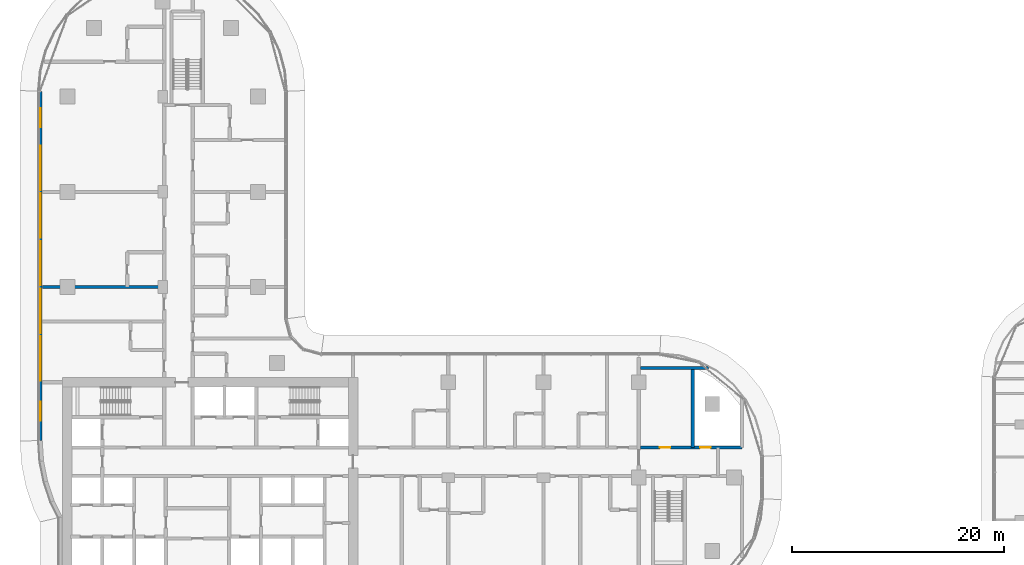
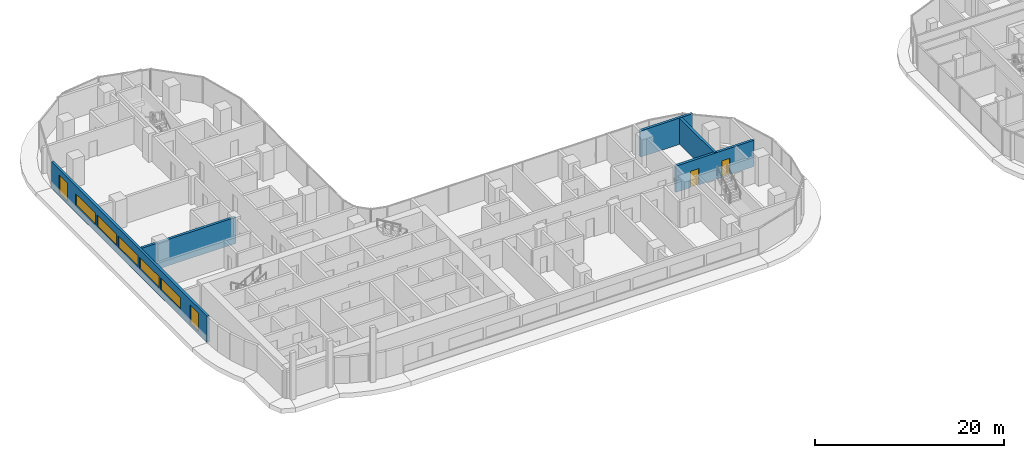
# One storey, part 20 of 36: 7 windows, 5 walls, 2 doors, 9 openings.
"""IFC4 building model written with IfcOpenShell, lengths in metres."""

from ifc_helpers import new_model, si_unit, direction, frame, frame_2d, origin, place, context, subcontext, project, spatial, rectangle, extrude, material, layer, layer_set, type_object, element, fill, save


model = new_model("IFC4")

# Units and contexts
model_context = context("Model", 3, precision=1e-05, world=origin(), true_north=direction((0.0, 1.0)))
body_context = subcontext(model_context, "Body", "Model", "MODEL_VIEW")
ifc_project = project(units=[si_unit("LENGTHUNIT", "METRE"), si_unit("AREAUNIT", "SQUARE_METRE"), si_unit("VOLUMEUNIT", "CUBIC_METRE"), si_unit("PLANEANGLEUNIT", "RADIAN"), si_unit("MASSUNIT", "GRAM", prefix="KILO")], contexts=[model_context])

# Site, building, storey
site_placement = place(None, origin())
site = spatial("IfcSite", under=ifc_project, at=site_placement, CompositionType="ELEMENT")
building_placement = place(site_placement, origin())
building = spatial("IfcBuilding", under=site, at=building_placement, Name="Ogive Portal Towers", CompositionType="ELEMENT")
storey_placement = place(building_placement, frame((0.0, 0.0, 63.10009765625)))
storey = spatial("IfcBuildingStorey", under=building, at=storey_placement, Name="L14", CompositionType="ELEMENT", Elevation=63.10009765625)

# Wall, openings, windows
ifc_material_1 = material(Name="Limestone cladding on lightweight block wall", Category="masonry")
ifc_layer_1 = layer(ifc_material_1, 0.300048828125)
ifc_layer_set_1 = layer_set([ifc_layer_1], Name="EXTERNAL WALL 300 STONE")
wall_type_1 = type_object("IfcWallType", Name="EXTERNAL WALL 300 STONE", PredefinedType="SOLIDWALL", material=ifc_layer_set_1)
wall_1_placement = place(storey_placement, frame((28.969970703125, 66.98583984375, 0.0), z_axis=(0.0, 0.0, 1.0), x_axis=(0.0, -1.0, 0.0)))
wall_1 = element("IfcWall", 1, at=wall_1_placement, inside=storey, type_object=wall_type_1, Name="A:L14:f27:r0:wall", PredefinedType="SOLIDWALL", context=body_context, shape_type="SweptSolid", body=[
    extrude(rectangle(XDim=32.97607421875, YDim=0.300048828125, at=frame_2d((16.488037109375, 0.0))), origin(), (0.0, 0.0, 1.0), 3.39990234375),
])
opening_1_placement = place(wall_1_placement, frame((1.593017578125, 0.0, 0.300048828125)))
opening_1 = element("IfcOpeningElement", 2, at=opening_1_placement, cuts=wall_1, Name="Opening WN10", PredefinedType="OPENING", context=body_context, shape_type="SweptSolid", body=[
    extrude(rectangle(XDim=1.800048828125, YDim=2.39990234375, at=frame_2d((0.89990234375, 1.199951171875))), frame((0.0, 0.16015625, 0.0), z_axis=(0.0, -1.0, 0.0), x_axis=(1.0, 0.0, 0.0)), (0.0, 0.0, 1.0), 0.320068359375),
])
opening_2_placement = place(wall_1_placement, frame((5.135986328125, 0.0, 0.89990234375)))
opening_2 = element("IfcOpeningElement", 3, at=opening_2_placement, cuts=wall_1, Name="Opening WN11", PredefinedType="OPENING", context=body_context, shape_type="SweptSolid", body=[
    extrude(rectangle(XDim=4.199951171875, YDim=1.5, at=frame_2d((2.10009765625, 0.75))), frame((0.0, 0.16015625, 0.0), z_axis=(0.0, -1.0, 0.0), x_axis=(1.0, 0.0, 0.0)), (0.0, 0.0, 1.0), 0.320068359375),
])
opening_3_placement = place(wall_1_placement, frame((9.635986328125, 0.0, 0.89990234375)))
opening_3 = element("IfcOpeningElement", 4, at=opening_3_placement, cuts=wall_1, Name="Opening WN11", PredefinedType="OPENING", context=body_context, shape_type="SweptSolid", body=[
    extrude(rectangle(XDim=4.199951171875, YDim=1.5, at=frame_2d((2.10009765625, 0.75))), frame((0.0, 0.16015625, 0.0), z_axis=(0.0, -1.0, 0.0), x_axis=(1.0, 0.0, 0.0)), (0.0, 0.0, 1.0), 0.320068359375),
])
opening_4_placement = place(wall_1_placement, frame((14.135986328125, 0.0, 0.89990234375)))
opening_4 = element("IfcOpeningElement", 5, at=opening_4_placement, cuts=wall_1, Name="Opening WN11", PredefinedType="OPENING", context=body_context, shape_type="SweptSolid", body=[
    extrude(rectangle(XDim=4.199951171875, YDim=1.5, at=frame_2d((2.10009765625, 0.75))), frame((0.0, 0.16015625, 0.0), z_axis=(0.0, -1.0, 0.0), x_axis=(1.0, 0.0, 0.0)), (0.0, 0.0, 1.0), 0.320068359375),
])
opening_5_placement = place(wall_1_placement, frame((18.635986328125, 0.0, 0.89990234375)))
opening_5 = element("IfcOpeningElement", 6, at=opening_5_placement, cuts=wall_1, Name="Opening WN11", PredefinedType="OPENING", context=body_context, shape_type="SweptSolid", body=[
    extrude(rectangle(XDim=4.199951171875, YDim=1.5, at=frame_2d((2.10009765625, 0.75))), frame((0.0, 0.16015625, 0.0), z_axis=(0.0, -1.0, 0.0), x_axis=(1.0, 0.0, 0.0)), (0.0, 0.0, 1.0), 0.320068359375),
])
opening_6_placement = place(wall_1_placement, frame((23.135986328125, 0.0, 0.89990234375)))
opening_6 = element("IfcOpeningElement", 7, at=opening_6_placement, cuts=wall_1, Name="Opening WN11", PredefinedType="OPENING", context=body_context, shape_type="SweptSolid", body=[
    extrude(rectangle(XDim=4.199951171875, YDim=1.5, at=frame_2d((2.10009765625, 0.75))), frame((0.0, 0.16015625, 0.0), z_axis=(0.0, -1.0, 0.0), x_axis=(1.0, 0.0, 0.0)), (0.0, 0.0, 1.0), 0.320068359375),
])
opening_7_placement = place(wall_1_placement, frame((29.3310546875, 0.0, 0.300048828125)))
opening_7 = element("IfcOpeningElement", 8, at=opening_7_placement, cuts=wall_1, Name="Opening WN10", PredefinedType="OPENING", context=body_context, shape_type="SweptSolid", body=[
    extrude(rectangle(XDim=1.800048828125, YDim=2.39990234375, at=frame_2d((0.89990234375, 1.199951171875))), frame((0.0, 0.16015625, 0.0), z_axis=(0.0, -1.0, 0.0), x_axis=(1.0, 0.0, 0.0)), (0.0, 0.0, 1.0), 0.320068359375),
])
ifc_material_2 = material(Name="Glass, clear low-iron insulated glazing", Category="glass")
window_type_1 = type_object("IfcWindowType", Name="WINDOW RIBBON 4200x1500", PartitioningType="TRIPLE_PANEL_VERTICAL", PredefinedType="WINDOW", material=ifc_material_2)
window_1_placement = place(opening_2_placement, origin())
window_1 = element("IfcWindow", 9, at=window_1_placement, inside=storey, type_object=window_type_1, Name="A:L14:f27:r0:w1", OverallHeight=1.5, OverallWidth=4.199951171875, PartitioningType="SINGLE_PANEL", PredefinedType="WINDOW", context=body_context, shape_type="SweptSolid", body=[
    extrude(rectangle(XDim=4.199951171875, YDim=1.5, at=frame_2d((2.10009765625, 0.75))), frame((0.0, 0.030029296875, 0.0), z_axis=(0.0, -1.0, 0.0), x_axis=(1.0, 0.0, 0.0)), (0.0, 0.0, 1.0), 0.06005859375),
])
fill(opening_2, window_1)
window_2_placement = place(opening_3_placement, origin())
window_2 = element("IfcWindow", 10, at=window_2_placement, inside=storey, type_object=window_type_1, Name="A:L14:f27:r0:w2", OverallHeight=1.5, OverallWidth=4.199951171875, PartitioningType="SINGLE_PANEL", PredefinedType="WINDOW", context=body_context, shape_type="SweptSolid", body=[
    extrude(rectangle(XDim=4.199951171875, YDim=1.5, at=frame_2d((2.10009765625, 0.75))), frame((0.0, 0.030029296875, 0.0), z_axis=(0.0, -1.0, 0.0), x_axis=(1.0, 0.0, 0.0)), (0.0, 0.0, 1.0), 0.06005859375),
])
fill(opening_3, window_2)
window_3_placement = place(opening_4_placement, origin())
window_3 = element("IfcWindow", 11, at=window_3_placement, inside=storey, type_object=window_type_1, Name="A:L14:f27:r0:w3", OverallHeight=1.5, OverallWidth=4.199951171875, PartitioningType="SINGLE_PANEL", PredefinedType="WINDOW", context=body_context, shape_type="SweptSolid", body=[
    extrude(rectangle(XDim=4.199951171875, YDim=1.5, at=frame_2d((2.10009765625, 0.75))), frame((0.0, 0.030029296875, 0.0), z_axis=(0.0, -1.0, 0.0), x_axis=(1.0, 0.0, 0.0)), (0.0, 0.0, 1.0), 0.06005859375),
])
fill(opening_4, window_3)
window_4_placement = place(opening_5_placement, origin())
window_4 = element("IfcWindow", 12, at=window_4_placement, inside=storey, type_object=window_type_1, Name="A:L14:f27:r0:w4", OverallHeight=1.5, OverallWidth=4.199951171875, PartitioningType="SINGLE_PANEL", PredefinedType="WINDOW", context=body_context, shape_type="SweptSolid", body=[
    extrude(rectangle(XDim=4.199951171875, YDim=1.5, at=frame_2d((2.10009765625, 0.75))), frame((0.0, 0.030029296875, 0.0), z_axis=(0.0, -1.0, 0.0), x_axis=(1.0, 0.0, 0.0)), (0.0, 0.0, 1.0), 0.06005859375),
])
fill(opening_5, window_4)
window_5_placement = place(opening_6_placement, origin())
window_5 = element("IfcWindow", 13, at=window_5_placement, inside=storey, type_object=window_type_1, Name="A:L14:f27:r0:w5", OverallHeight=1.5, OverallWidth=4.199951171875, PartitioningType="SINGLE_PANEL", PredefinedType="WINDOW", context=body_context, shape_type="SweptSolid", body=[
    extrude(rectangle(XDim=4.199951171875, YDim=1.5, at=frame_2d((2.10009765625, 0.75))), frame((0.0, 0.030029296875, 0.0), z_axis=(0.0, -1.0, 0.0), x_axis=(1.0, 0.0, 0.0)), (0.0, 0.0, 1.0), 0.06005859375),
])
fill(opening_6, window_5)
window_type_2 = type_object("IfcWindowType", Name="WINDOW SUITE CORNER 1800x2400", PartitioningType="DOUBLE_PANEL_VERTICAL", PredefinedType="WINDOW", material=ifc_material_2)
window_6_placement = place(opening_1_placement, origin())
window_6 = element("IfcWindow", 14, at=window_6_placement, inside=storey, type_object=window_type_2, Name="A:L14:f27:r0:w0", OverallHeight=2.39990234375, OverallWidth=1.800048828125, PartitioningType="SINGLE_PANEL", PredefinedType="WINDOW", context=body_context, shape_type="SweptSolid", body=[
    extrude(rectangle(XDim=1.800048828125, YDim=2.39990234375, at=frame_2d((0.89990234375, 1.199951171875))), frame((0.0, 0.030029296875, 0.0), z_axis=(0.0, -1.0, 0.0), x_axis=(1.0, 0.0, 0.0)), (0.0, 0.0, 1.0), 0.06005859375),
])
fill(opening_1, window_6)
window_7_placement = place(opening_7_placement, origin())
window_7 = element("IfcWindow", 15, at=window_7_placement, inside=storey, type_object=window_type_2, Name="A:L14:f27:r0:w6", OverallHeight=2.39990234375, OverallWidth=1.800048828125, PartitioningType="SINGLE_PANEL", PredefinedType="WINDOW", context=body_context, shape_type="SweptSolid", body=[
    extrude(rectangle(XDim=1.800048828125, YDim=2.39990234375, at=frame_2d((0.89990234375, 1.199951171875))), frame((0.0, 0.030029296875, 0.0), z_axis=(0.0, -1.0, 0.0), x_axis=(1.0, 0.0, 0.0)), (0.0, 0.0, 1.0), 0.06005859375),
])
fill(opening_7, window_7)

# Wall, openings, doors
ifc_material_3 = material(Name="Gypsum board partition on steel studs", Category="steel")
ifc_layer_2 = layer(ifc_material_3, 0.300048828125)
ifc_layer_set_2 = layer_set([ifc_layer_2], Name="WT-PART-300-EI 120")
wall_type_2 = type_object("IfcWallType", Name="WT-PART-300-EI 120", PredefinedType="PARTITIONING", material=ifc_layer_set_2)
wall_2_placement = place(storey_placement, frame((85.669921875, 33.35009765625, 0.0), z_axis=(0.0, 0.0, 1.0), x_axis=(1.0, 0.0, 0.0)))
wall_2 = element("IfcWall", 16, at=wall_2_placement, inside=storey, type_object=wall_type_2, Name="Wall L14:w008", PredefinedType="PARTITIONING", context=body_context, shape_type="SweptSolid", body=[
    extrude(rectangle(XDim=9.580078125, YDim=0.300048828125, at=frame_2d((4.7900390625, 0.0))), origin(), (0.0, 0.0, 1.0), 3.39990234375),
])
opening_8_placement = place(wall_2_placement, frame((1.830078125, 0.0, 0.0)))
opening_8 = element("IfcOpeningElement", 17, at=opening_8_placement, cuts=wall_2, Name="Opening D04-061", PredefinedType="OPENING", context=body_context, shape_type="SweptSolid", body=[
    extrude(rectangle(XDim=1.0, YDim=2.10009765625, at=frame_2d((0.5, 1.050048828125))), frame((0.0, 0.16015625, 0.0), z_axis=(0.0, -1.0, 0.0), x_axis=(1.0, 0.0, 0.0)), (0.0, 0.0, 1.0), 0.320068359375),
])
opening_9_placement = place(wall_2_placement, frame((5.6298828125, 0.0, 0.0)))
opening_9 = element("IfcOpeningElement", 18, at=opening_9_placement, cuts=wall_2, Name="Opening D04-062", PredefinedType="OPENING", context=body_context, shape_type="SweptSolid", body=[
    extrude(rectangle(XDim=1.0, YDim=2.10009765625, at=frame_2d((0.5, 1.050048828125))), frame((0.0, 0.16015625, 0.0), z_axis=(0.0, -1.0, 0.0), x_axis=(1.0, 0.0, 0.0)), (0.0, 0.0, 1.0), 0.320068359375),
])
ifc_material_4 = material(Name="Steel fire door", Category="steel")
door_type = type_object("IfcDoorType", Name="DT-SERVICE-1000x2100-FD90S", OperationType="SINGLE_SWING_LEFT", PredefinedType="DOOR", material=ifc_material_4)
door_1_placement = place(opening_8_placement, origin())
door_1 = element("IfcDoor", 19, at=door_1_placement, inside=storey, type_object=door_type, Name="Door D04-061", OperationType="SINGLE_SWING_LEFT", OverallHeight=2.10009765625, OverallWidth=1.0, PredefinedType="DOOR", context=body_context, shape_type="SweptSolid", body=[
    extrude(rectangle(XDim=1.0, YDim=2.10009765625, at=frame_2d((0.5, 1.050048828125))), frame((0.0, 0.02490234375, 0.0), z_axis=(0.0, -1.0, 0.0), x_axis=(1.0, 0.0, 0.0)), (0.0, 0.0, 1.0), 0.050048828125),
])
fill(opening_8, door_1)
door_2_placement = place(opening_9_placement, origin())
door_2 = element("IfcDoor", 20, at=door_2_placement, inside=storey, type_object=door_type, Name="Riser access door D04-062", OperationType="SINGLE_SWING_RIGHT", OverallHeight=2.10009765625, OverallWidth=1.0, PredefinedType="DOOR", context=body_context, shape_type="SweptSolid", body=[
    extrude(rectangle(XDim=1.0, YDim=2.10009765625, at=frame_2d((0.5, 1.050048828125))), frame((0.0, 0.02490234375, 0.0), z_axis=(0.0, -1.0, 0.0), x_axis=(1.0, 0.0, 0.0)), (0.0, 0.0, 1.0), 0.050048828125),
])
fill(opening_9, door_2)

# Walls
ifc_layer_3 = layer(ifc_material_3, 0.300048828125)
ifc_layer_set_3 = layer_set([ifc_layer_3], Name="WT-PART-300-EI 60")
wall_type_3 = type_object("IfcWallType", Name="WT-PART-300-EI 60", PredefinedType="PARTITIONING", material=ifc_layer_set_3)
wall_3_placement = place(storey_placement, frame((85.669921875, 40.85009765625, 0.0), z_axis=(0.0, 0.0, 1.0), x_axis=(1.0, 0.0, 0.0)))
element("IfcWall", 21, at=wall_3_placement, inside=storey, type_object=wall_type_3, Name="Wall L14:w013", PredefinedType="PARTITIONING", context=body_context, shape_type="SweptSolid", body=[
    extrude(rectangle(XDim=6.422119140625, YDim=0.300048828125, at=frame_2d((3.2109375, 0.0))), origin(), (0.0, 0.0, 1.0), 3.39990234375),
])
wall_4_placement = place(storey_placement, frame((29.169921875, 48.5, 0.0), z_axis=(0.0, 0.0, 1.0), x_axis=(1.0, 0.0, 0.0)))
element("IfcWall", 22, at=wall_4_placement, inside=storey, type_object=wall_type_3, Name="Wall L14:w019", PredefinedType="PARTITIONING", context=body_context, shape_type="SweptSolid", body=[
    extrude(rectangle(XDim=11.47998046875, YDim=0.300048828125, at=frame_2d((5.739990234375, 0.0))), origin(), (0.0, 0.0, 1.0), 3.39990234375),
])
wall_5_placement = place(storey_placement, frame((90.60009765625, 33.35009765625, 0.0), z_axis=(0.0, 0.0, 1.0), x_axis=(0.0, 1.0, 0.0)))
element("IfcWall", 23, at=wall_5_placement, inside=storey, type_object=wall_type_3, Name="Wall L14:w064", PredefinedType="PARTITIONING", context=body_context, shape_type="SweptSolid", body=[
    extrude(rectangle(XDim=7.5, YDim=0.300048828125, at=frame_2d((3.75, 0.0))), origin(), (0.0, 0.0, 1.0), 3.39990234375),
])

save(model, "model.ifc")
